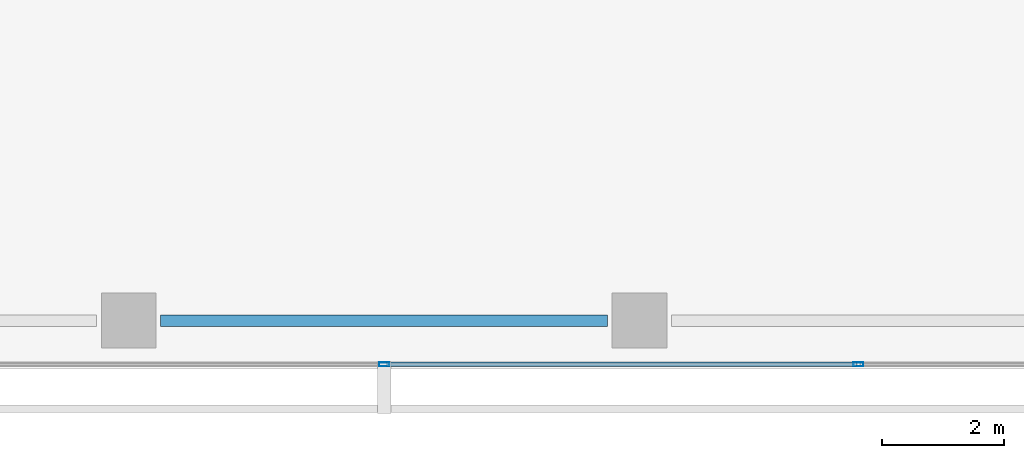
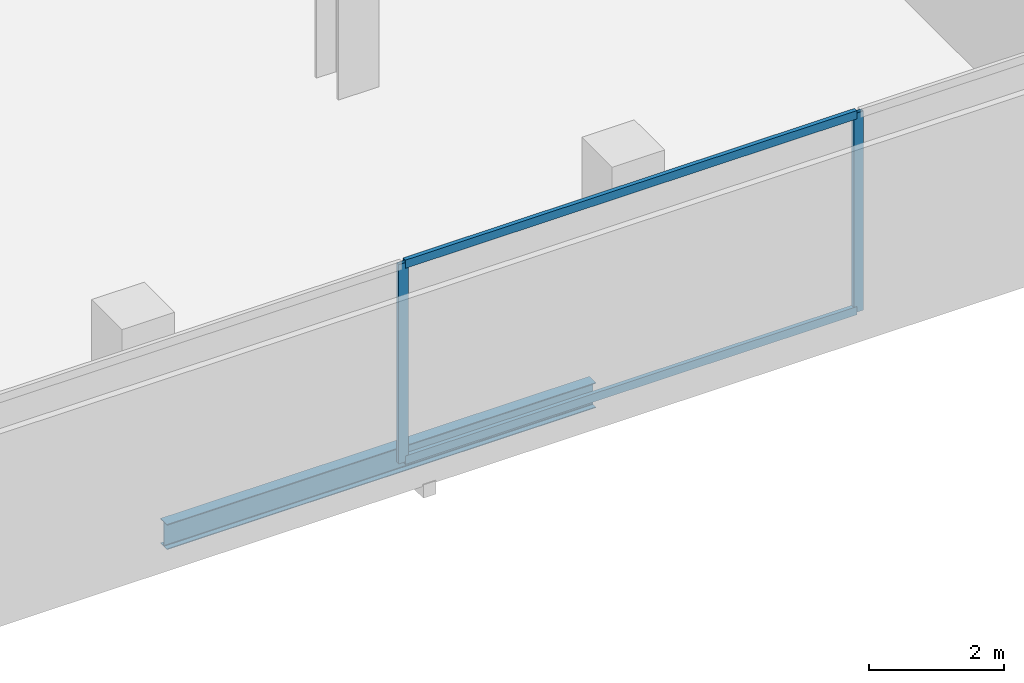
# One storey, part 8 of 31: 4 members, 1 beam, 1 element without a shape of its own.
"""IFC4 building model written with IfcOpenShell, lengths in metres."""

from ifc_helpers import new_model, si_unit, direction, frame, origin, origin_2d, place, context, subcontext, project, spatial, hollow_rectangle, i_section, extrude, material, layer, layer_set, material_profile, profile_set, type_object, element, aggregate, save


model = new_model("IFC4")

# Units and contexts
model_context = context("Model", 3, precision=1e-05, world=origin(), true_north=direction((0.0, 1.0)))
body_context = subcontext(model_context, "Body", "Model", "MODEL_VIEW")
ifc_project = project(units=[si_unit("LENGTHUNIT", "METRE"), si_unit("AREAUNIT", "SQUARE_METRE"), si_unit("VOLUMEUNIT", "CUBIC_METRE"), si_unit("PLANEANGLEUNIT", "RADIAN"), si_unit("MASSUNIT", "GRAM", prefix="KILO")], contexts=[model_context])

# Site, building, storey
site_placement = place(None, origin())
site = spatial("IfcSite", under=ifc_project, at=site_placement, CompositionType="ELEMENT")
building_placement = place(site_placement, origin())
building = spatial("IfcBuilding", under=site, at=building_placement, Name="Maruvema Waterfront Hotel and Observation Tower", CompositionType="ELEMENT")
storey_placement = place(building_placement, frame((0.0, 0.0, 26.949951171875)))
storey = spatial("IfcBuildingStorey", under=building, at=storey_placement, Name="L05", CompositionType="ELEMENT", Elevation=26.949951171875)

# Curtain wall, members
ifc_material_1 = material(Name="Anodised bronze aluminium and solar-control low-E IGU", Category="aluminium")
ifc_layer = layer(ifc_material_1, 0.159912109375, Name="Zone 1 Bronze Inner Thermal Curtain Wall System CW-02")
ifc_layer_set = layer_set([ifc_layer], Name="Anodised bronze aluminium and solar-control low-E IGU")
curtain_wall_type = type_object("IfcCurtainWallType", Name="Zone 1 Bronze Inner Thermal Curtain Wall System CW-02", PredefinedType="USERDEFINED", material=ifc_layer_set)
curtain_wall_placement = place(storey_placement, origin())
curtain_wall = element("IfcCurtainWall", 1, at=curtain_wall_placement, inside=storey, type_object=curtain_wall_type, Name="L05 Curtain Wall CW-L05-S", ObjectType="UNITISED CURTAIN WALL", PredefinedType="USERDEFINED")
ifc_material_2 = material(Name="Anodised architectural bronze aluminium", Category="aluminium")
ifc_material_profile_1 = material_profile(ifc_material_2, hollow_rectangle(XDim=0.070068359375, YDim=0.14990234375, WallThickness=0.00390625, at=origin_2d()), Name="ALU-T70x150")
ifc_profile_set_1 = profile_set([ifc_material_profile_1], Name="Anodised architectural bronze aluminium")
member_type_1 = type_object("IfcMemberType", Name="Curtain Wall Horizontal Transom ALU-T70x150", PredefinedType="USERDEFINED", material=ifc_profile_set_1)
member_1_placement = place(storey_placement, frame((37.830078125, 0.080078125, 0.030029296875), z_axis=(1.0, 0.0, 0.0), x_axis=(0.0, 1.0, 0.0)))
member_1 = element("IfcMember", 2, at=member_1_placement, type_object=member_type_1, Name="CW-02 transom 4.1", ObjectType="TRANSOM", PredefinedType="USERDEFINED", context=body_context, shape_type="SweptSolid", body=[
    extrude(hollow_rectangle(XDim=0.070068359375, YDim=0.14990234375, WallThickness=0.00390625, at=origin_2d()), origin(), (0.0, 0.0, 1.0), 7.739990234375),
])
member_2_placement = place(storey_placement, frame((37.830078125, 0.080078125, 3.580078125), z_axis=(1.0, 0.0, 0.0), x_axis=(0.0, 1.0, 0.0)))
member_2 = element("IfcMember", 3, at=member_2_placement, type_object=member_type_1, Name="CW-02 transom 4.2", ObjectType="TRANSOM", PredefinedType="USERDEFINED", context=body_context, shape_type="SweptSolid", body=[
    extrude(hollow_rectangle(XDim=0.070068359375, YDim=0.14990234375, WallThickness=0.00390625, at=origin_2d()), origin(), (0.0, 0.0, 1.0), 7.739990234375),
])
ifc_material_3 = material(Name="Anodised architectural bronze aluminium", Category="aluminium")
ifc_material_profile_2 = material_profile(ifc_material_3, hollow_rectangle(XDim=0.06494140625, YDim=0.1650390625, WallThickness=0.00390625, at=origin_2d()), Name="ALU-M65x165")
ifc_profile_set_2 = profile_set([ifc_material_profile_2], Name="Anodised architectural bronze aluminium")
member_type_2 = type_object("IfcMemberType", Name="Curtain Wall Primary Mullion ALU-M65x165", PredefinedType="MULLION", material=ifc_profile_set_2)
member_3_placement = place(storey_placement, frame((37.800048828125, 0.080078125, 0.0), z_axis=(0.0, 0.0, 1.0), x_axis=(0.0, 1.0, 0.0)))
member_3 = element("IfcMember", 4, at=member_3_placement, type_object=member_type_2, Name="CW-02 mullion 4", PredefinedType="MULLION", context=body_context, shape_type="SweptSolid", body=[
    extrude(hollow_rectangle(XDim=0.06494140625, YDim=0.1650390625, WallThickness=0.00390625, at=origin_2d()), origin(), (0.0, 0.0, 1.0), 3.610107421875),
])
member_4_placement = place(storey_placement, frame((45.60009765625, 0.080078125, 0.0), z_axis=(0.0, 0.0, 1.0), x_axis=(0.0, 1.0, 0.0)))
member_4 = element("IfcMember", 5, at=member_4_placement, type_object=member_type_2, Name="CW-02 mullion 5", PredefinedType="MULLION", context=body_context, shape_type="SweptSolid", body=[
    extrude(hollow_rectangle(XDim=0.06494140625, YDim=0.1650390625, WallThickness=0.00390625, at=origin_2d()), origin(), (0.0, 0.0, 1.0), 3.610107421875),
])
aggregate(curtain_wall, [member_3, member_4, member_1, member_2])

# Beam
ifc_material_4 = material(Name="Steel ASTM A572 Grade 50", Category="steel")
ifc_material_profile_3 = material_profile(ifc_material_4, i_section(OverallWidth=0.18994140625, OverallDepth=0.45703125, WebThickness=0.009033203125, FlangeThickness=0.014404296875, FilletRadius=0.014892578125, at=origin_2d()), Name="W460x74.0")
ifc_profile_set_3 = profile_set([ifc_material_profile_3], Name="Steel ASTM A572 Grade 50")
beam_type = type_object("IfcBeamType", Name="Perimeter Spandrel Beam W460x74.0", PredefinedType="SPANDREL", material=ifc_profile_set_3)
beam_placement = place(storey_placement, frame((34.125, 0.800048828125, -0.468505859375), z_axis=(1.0, 0.0, 0.0), x_axis=(0.0, 1.0, 0.0)))
element("IfcBeam", 6, at=beam_placement, inside=storey, type_object=beam_type, Name="L05 Floor Girder EW-04", PredefinedType="SPANDREL", context=body_context, shape_type="SweptSolid", body=[
    extrude(i_section(OverallWidth=0.18994140625, OverallDepth=0.45703125, WebThickness=0.009033203125, FlangeThickness=0.014404296875, FilletRadius=0.014892578125, at=origin_2d()), origin(), (0.0, 0.0, 1.0), 7.35009765625),
])

save(model, "model.ifc")
